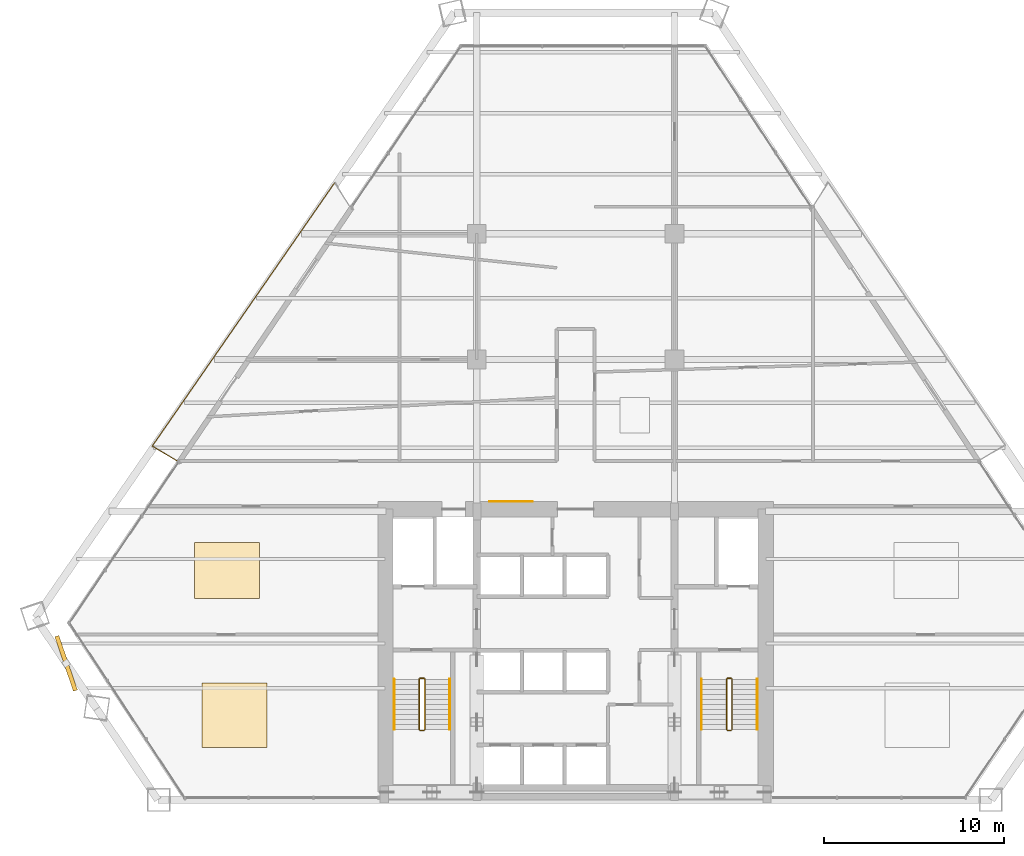
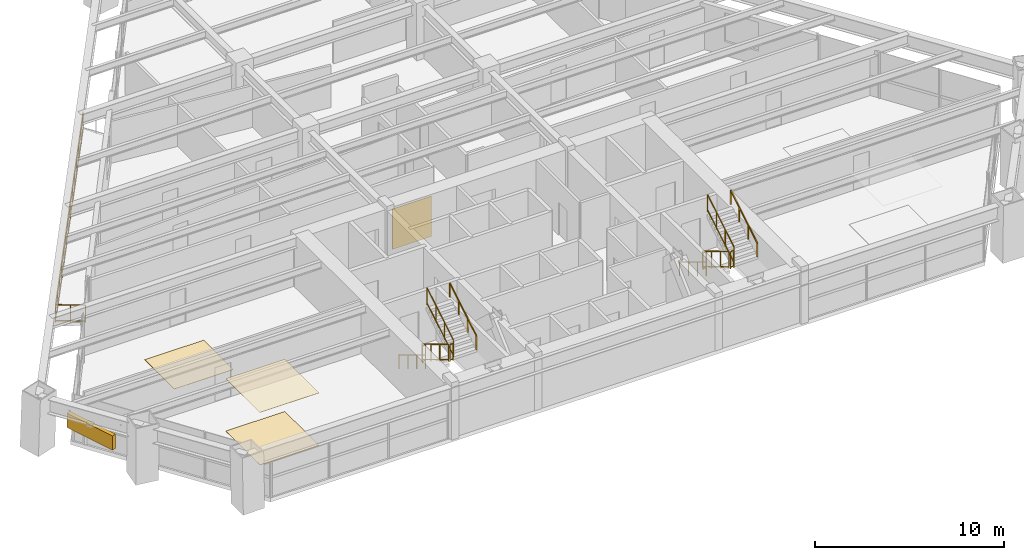
# One storey, part 13 of 14: 14 railings, 4 coverings, 1 shading device.
"""IFC4 building model written with IfcOpenShell, lengths in metres."""

from ifc_helpers import new_model, si_unit, direction, frame, origin, origin_2d, place, context, subcontext, project, spatial, rectangle, extrude, source, transform, mapped, material, layer, layer_set, type_object, type_shapes, element, save


model = new_model("IFC4")

# Units and contexts
model_context = context("Model", 3, precision=1e-05, world=origin(), true_north=direction((0.0, 1.0)))
body_context = subcontext(model_context, "Body", "Model", "MODEL_VIEW")
ifc_project = project(units=[si_unit("LENGTHUNIT", "METRE"), si_unit("AREAUNIT", "SQUARE_METRE"), si_unit("VOLUMEUNIT", "CUBIC_METRE"), si_unit("PLANEANGLEUNIT", "RADIAN"), si_unit("MASSUNIT", "GRAM", prefix="KILO")], contexts=[model_context])

# Site, building, storey
site_placement = place(None, origin())
site = spatial("IfcSite", under=ifc_project, at=site_placement, CompositionType="ELEMENT")
building_placement = place(site_placement, origin())
building = spatial("IfcBuilding", under=site, at=building_placement, Name="Varnakhor Terracotta Tower", CompositionType="ELEMENT")
storey_placement = place(building_placement, frame((0.0, 0.0, 68.199951171875)))
storey = spatial("IfcBuildingStorey", under=building, at=storey_placement, Name="L16", CompositionType="ELEMENT", Elevation=68.199951171875)

# Railings
ifc_material_1 = material(Name="Stainless Steel & Laminated Glass Guardrail", Category="steel")
railing_type_1 = type_object("IfcRailingType", Name="RLG-LOGGIA-GUARD-1150", PredefinedType="GUARDRAIL", material=ifc_material_1)
railing_1_placement = place(storey_placement, frame((-22.185546875, 18.864990234375, 0.0)))
element("IfcRailing", 1, at=railing_1_placement, inside=storey, type_object=railing_type_1, Name="L16 W Loggia Glass Guard 1", PredefinedType="GUARDRAIL", context=body_context, shape_type="SweptSolid", body=[
    extrude(rectangle(XDim=0.048095703125, YDim=0.048095703125, at=origin_2d()), frame((0.0, 0.0, 1.1259765625), z_axis=(-0.857357928805, 0.514720683395, 0.0), x_axis=(-0.514720683395, -0.857357928805, 0.0)), (0.0, 0.0, 1.0), 1.59619140625),
    extrude(rectangle(XDim=0.048095703125, YDim=0.048095703125, at=origin_2d()), frame((0.0, 0.0, 0.10009765625), z_axis=(-0.857357928805, 0.514720683395, 0.0), x_axis=(-0.514720683395, -0.857357928805, 0.0)), (0.0, 0.0, 1.0), 1.59619140625),
    extrude(rectangle(XDim=0.0419921875, YDim=0.0419921875, at=origin_2d()), origin(), (0.0, 0.0, 1.0), 1.101806640625),
    extrude(rectangle(XDim=0.0419921875, YDim=0.0419921875, at=origin_2d()), frame((-0.68408203125, 0.41064453125, 0.0)), (0.0, 0.0, 1.0), 1.101806640625),
    extrude(rectangle(XDim=0.0419921875, YDim=0.0419921875, at=origin_2d()), frame((-1.368408203125, 0.821533203125, 0.0)), (0.0, 0.0, 1.0), 1.101806640625),
])
railing_2_placement = place(storey_placement, frame((-23.553955078125, 19.6865234375, 0.0)))
element("IfcRailing", 2, at=railing_2_placement, inside=storey, type_object=railing_type_1, Name="L16 W Loggia Glass Guard 2", PredefinedType="GUARDRAIL", context=body_context, shape_type="SweptSolid", body=[
    extrude(rectangle(XDim=0.048095703125, YDim=0.048095703125, at=origin_2d()), frame((0.0, 0.0, 1.1259765625), z_axis=(0.569354579322, 0.822092064799, 0.0), x_axis=(-0.822092064799, 0.569354579322, 0.0)), (0.0, 0.0, 1.0), 17.821533203125),
    extrude(rectangle(XDim=0.048095703125, YDim=0.048095703125, at=origin_2d()), frame((0.0, 0.0, 0.10009765625), z_axis=(0.569354579322, 0.822092064799, 0.0), x_axis=(-0.822092064799, 0.569354579322, 0.0)), (0.0, 0.0, 1.0), 17.821533203125),
    extrude(rectangle(XDim=0.0419921875, YDim=0.0419921875, at=origin_2d()), origin(), (0.0, 0.0, 1.0), 1.101806640625),
    extrude(rectangle(XDim=0.0419921875, YDim=0.0419921875, at=origin_2d()), frame((0.780517578125, 1.126953125, 0.0)), (0.0, 0.0, 1.0), 1.101806640625),
    extrude(rectangle(XDim=0.0419921875, YDim=0.0419921875, at=origin_2d()), frame((1.56103515625, 2.25390625, 0.0)), (0.0, 0.0, 1.0), 1.101806640625),
    extrude(rectangle(XDim=0.0419921875, YDim=0.0419921875, at=origin_2d()), frame((2.341552734375, 3.380859375, 0.0)), (0.0, 0.0, 1.0), 1.101806640625),
    extrude(rectangle(XDim=0.0419921875, YDim=0.0419921875, at=origin_2d()), frame((3.1220703125, 4.508056640625, 0.0)), (0.0, 0.0, 1.0), 1.101806640625),
    extrude(rectangle(XDim=0.0419921875, YDim=0.0419921875, at=origin_2d()), frame((3.902587890625, 5.635009765625, 0.0)), (0.0, 0.0, 1.0), 1.101806640625),
    extrude(rectangle(XDim=0.0419921875, YDim=0.0419921875, at=origin_2d()), frame((4.68310546875, 6.761962890625, 0.0)), (0.0, 0.0, 1.0), 1.101806640625),
    extrude(rectangle(XDim=0.0419921875, YDim=0.0419921875, at=origin_2d()), frame((5.463623046875, 7.888916015625, 0.0)), (0.0, 0.0, 1.0), 1.101806640625),
    extrude(rectangle(XDim=0.0419921875, YDim=0.0419921875, at=origin_2d()), frame((6.244140625, 9.015869140625, 0.0)), (0.0, 0.0, 1.0), 1.101806640625),
    extrude(rectangle(XDim=0.0419921875, YDim=0.0419921875, at=origin_2d()), frame((7.024658203125, 10.142822265625, 0.0)), (0.0, 0.0, 1.0), 1.101806640625),
    extrude(rectangle(XDim=0.0419921875, YDim=0.0419921875, at=origin_2d()), frame((7.80517578125, 11.27001953125, 0.0)), (0.0, 0.0, 1.0), 1.101806640625),
    extrude(rectangle(XDim=0.0419921875, YDim=0.0419921875, at=origin_2d()), frame((8.585693359375, 12.39697265625, 0.0)), (0.0, 0.0, 1.0), 1.101806640625),
    extrude(rectangle(XDim=0.0419921875, YDim=0.0419921875, at=origin_2d()), frame((9.3662109375, 13.52392578125, 0.0)), (0.0, 0.0, 1.0), 1.101806640625),
    extrude(rectangle(XDim=0.0419921875, YDim=0.0419921875, at=origin_2d()), frame((10.146728515625, 14.65087890625, 0.0)), (0.0, 0.0, 1.0), 1.101806640625),
])
ifc_material_2 = material(Name="Painted Steel Stairwell Guardrail", Category="steel")
railing_type_2 = type_object("IfcRailingType", Name="RLG-STAIR-GUARD-1120", PredefinedType="GUARDRAIL", material=ifc_material_2)
railing_3_placement = place(storey_placement, frame((-8.699951171875, 6.7099609375, 0.168212890625)))
element("IfcRailing", 3, at=railing_3_placement, inside=storey, type_object=railing_type_2, Name="L16 ST-1 stair guard 1", PredefinedType="GUARDRAIL", context=body_context, shape_type="SweptSolid", body=[
    extrude(rectangle(XDim=0.048095703125, YDim=0.048095703125, at=origin_2d()), frame((0.0, 0.0, 1.09619140625), z_axis=(0.0, -0.857242210791, 0.514913383045), x_axis=(1.0, 0.0, 0.0)), (0.0, 0.0, 1.0), 3.266357421875),
    extrude(rectangle(XDim=0.048095703125, YDim=0.048095703125, at=origin_2d()), frame((0.0, 0.0, 0.10009765625), z_axis=(0.0, -0.857242210791, 0.514913383045), x_axis=(1.0, 0.0, 0.0)), (0.0, 0.0, 1.0), 3.266357421875),
    extrude(rectangle(XDim=0.0419921875, YDim=0.0419921875, at=origin_2d()), origin(), (0.0, 0.0, 1.0), 1.072021484375),
    extrude(rectangle(XDim=0.0419921875, YDim=0.0419921875, at=origin_2d()), frame((0.0, -0.933349609375, 0.560546875)), (0.0, 0.0, 1.0), 1.072021484375),
    extrude(rectangle(XDim=0.0419921875, YDim=0.0419921875, at=origin_2d()), frame((0.0, -1.86669921875, 1.121337890625)), (0.0, 0.0, 1.0), 1.072021484375),
    extrude(rectangle(XDim=0.0419921875, YDim=0.0419921875, at=origin_2d()), frame((0.0, -2.800048828125, 1.681884765625)), (0.0, 0.0, 1.0), 1.072021484375),
])
railing_4_placement = place(storey_placement, frame((-8.64990234375, 3.860107421875, 1.85009765625)))
element("IfcRailing", 4, at=railing_4_placement, inside=storey, type_object=railing_type_2, Name="L16 ST-1 stair guard 2", PredefinedType="GUARDRAIL", context=body_context, shape_type="SweptSolid", body=[
    extrude(rectangle(XDim=0.048095703125, YDim=0.048095703125, at=origin_2d()), frame((0.0, 0.0, 1.09619140625), z_axis=(1.0, 0.0, 0.0), x_axis=(0.0, 1.0, 0.0)), (0.0, 0.0, 1.0), 0.199951171875),
    extrude(rectangle(XDim=0.048095703125, YDim=0.048095703125, at=origin_2d()), frame((0.0, 0.0, 0.10009765625), z_axis=(1.0, 0.0, 0.0), x_axis=(0.0, 1.0, 0.0)), (0.0, 0.0, 1.0), 0.199951171875),
    extrude(rectangle(XDim=0.0419921875, YDim=0.0419921875, at=origin_2d()), origin(), (0.0, 0.0, 1.0), 1.072021484375),
    extrude(rectangle(XDim=0.0419921875, YDim=0.0419921875, at=origin_2d()), frame((0.199951171875, 0.0, 0.0)), (0.0, 0.0, 1.0), 1.072021484375),
])
railing_5_placement = place(storey_placement, frame((-8.39990234375, 3.909912109375, 2.018310546875)))
element("IfcRailing", 5, at=railing_5_placement, inside=storey, type_object=railing_type_2, Name="L16 ST-1 stair guard 3", PredefinedType="GUARDRAIL", context=body_context, shape_type="SweptSolid", body=[
    extrude(rectangle(XDim=0.048095703125, YDim=0.048095703125, at=origin_2d()), frame((0.0, 0.0, 1.09619140625), z_axis=(0.0, 0.857275202839, 0.514858452973), x_axis=(-1.0, 0.0, 0.0)), (0.0, 0.0, 1.0), 3.26611328125),
    extrude(rectangle(XDim=0.048095703125, YDim=0.048095703125, at=origin_2d()), frame((0.0, 0.0, 0.10009765625), z_axis=(0.0, 0.857275202839, 0.514858452973), x_axis=(-1.0, 0.0, 0.0)), (0.0, 0.0, 1.0), 3.26611328125),
    extrude(rectangle(XDim=0.0419921875, YDim=0.0419921875, at=origin_2d()), origin(), (0.0, 0.0, 1.0), 1.072021484375),
    extrude(rectangle(XDim=0.0419921875, YDim=0.0419921875, at=origin_2d()), frame((0.0, 0.933349609375, 0.560546875)), (0.0, 0.0, 1.0), 1.072021484375),
    extrude(rectangle(XDim=0.0419921875, YDim=0.0419921875, at=origin_2d()), frame((0.0, 1.86669921875, 1.12109375)), (0.0, 0.0, 1.0), 1.072021484375),
    extrude(rectangle(XDim=0.0419921875, YDim=0.0419921875, at=origin_2d()), frame((0.0, 2.800048828125, 1.681640625)), (0.0, 0.0, 1.0), 1.072021484375),
])
railing_6_placement = place(storey_placement, frame((-8.64990234375, 6.760009765625, 0.0)))
element("IfcRailing", 6, at=railing_6_placement, inside=storey, type_object=railing_type_2, Name="L16 ST-1 stair guard 4", PredefinedType="GUARDRAIL", context=body_context, shape_type="SweptSolid", body=[
    extrude(rectangle(XDim=0.048095703125, YDim=0.048095703125, at=origin_2d()), frame((0.0, 0.0, 1.09619140625), z_axis=(1.0, 0.0, 0.0), x_axis=(0.0, 1.0, 0.0)), (0.0, 0.0, 1.0), 0.199951171875),
    extrude(rectangle(XDim=0.048095703125, YDim=0.048095703125, at=origin_2d()), frame((0.0, 0.0, 0.10009765625), z_axis=(1.0, 0.0, 0.0), x_axis=(0.0, 1.0, 0.0)), (0.0, 0.0, 1.0), 0.199951171875),
    extrude(rectangle(XDim=0.0419921875, YDim=0.0419921875, at=origin_2d()), origin(), (0.0, 0.0, 1.0), 1.072021484375),
    extrude(rectangle(XDim=0.0419921875, YDim=0.0419921875, at=origin_2d()), frame((0.199951171875, 0.0, 0.0)), (0.0, 0.0, 1.0), 1.072021484375),
])
railing_7_placement = place(storey_placement, frame((8.39990234375, 6.7099609375, 0.168212890625)))
element("IfcRailing", 7, at=railing_7_placement, inside=storey, type_object=railing_type_2, Name="L16 ST-2 stair guard 1", PredefinedType="GUARDRAIL", context=body_context, shape_type="SweptSolid", body=[
    extrude(rectangle(XDim=0.048095703125, YDim=0.048095703125, at=origin_2d()), frame((0.0, 0.0, 1.09619140625), z_axis=(0.0, -0.857242210791, 0.514913383045), x_axis=(1.0, 0.0, 0.0)), (0.0, 0.0, 1.0), 3.266357421875),
    extrude(rectangle(XDim=0.048095703125, YDim=0.048095703125, at=origin_2d()), frame((0.0, 0.0, 0.10009765625), z_axis=(0.0, -0.857242210791, 0.514913383045), x_axis=(1.0, 0.0, 0.0)), (0.0, 0.0, 1.0), 3.266357421875),
    extrude(rectangle(XDim=0.0419921875, YDim=0.0419921875, at=origin_2d()), origin(), (0.0, 0.0, 1.0), 1.072021484375),
    extrude(rectangle(XDim=0.0419921875, YDim=0.0419921875, at=origin_2d()), frame((0.0, -0.933349609375, 0.560546875)), (0.0, 0.0, 1.0), 1.072021484375),
    extrude(rectangle(XDim=0.0419921875, YDim=0.0419921875, at=origin_2d()), frame((0.0, -1.86669921875, 1.121337890625)), (0.0, 0.0, 1.0), 1.072021484375),
    extrude(rectangle(XDim=0.0419921875, YDim=0.0419921875, at=origin_2d()), frame((0.0, -2.800048828125, 1.681884765625)), (0.0, 0.0, 1.0), 1.072021484375),
])
railing_8_placement = place(storey_placement, frame((8.449951171875, 3.860107421875, 1.85009765625)))
element("IfcRailing", 8, at=railing_8_placement, inside=storey, type_object=railing_type_2, Name="L16 ST-2 stair guard 2", PredefinedType="GUARDRAIL", context=body_context, shape_type="SweptSolid", body=[
    extrude(rectangle(XDim=0.048095703125, YDim=0.048095703125, at=origin_2d()), frame((0.0, 0.0, 1.09619140625), z_axis=(1.0, 0.0, 0.0), x_axis=(0.0, 1.0, 0.0)), (0.0, 0.0, 1.0), 0.199951171875),
    extrude(rectangle(XDim=0.048095703125, YDim=0.048095703125, at=origin_2d()), frame((0.0, 0.0, 0.10009765625), z_axis=(1.0, 0.0, 0.0), x_axis=(0.0, 1.0, 0.0)), (0.0, 0.0, 1.0), 0.199951171875),
    extrude(rectangle(XDim=0.0419921875, YDim=0.0419921875, at=origin_2d()), origin(), (0.0, 0.0, 1.0), 1.072021484375),
    extrude(rectangle(XDim=0.0419921875, YDim=0.0419921875, at=origin_2d()), frame((0.199951171875, 0.0, 0.0)), (0.0, 0.0, 1.0), 1.072021484375),
])
railing_9_placement = place(storey_placement, frame((8.699951171875, 3.909912109375, 2.018310546875)))
element("IfcRailing", 9, at=railing_9_placement, inside=storey, type_object=railing_type_2, Name="L16 ST-2 stair guard 3", PredefinedType="GUARDRAIL", context=body_context, shape_type="SweptSolid", body=[
    extrude(rectangle(XDim=0.048095703125, YDim=0.048095703125, at=origin_2d()), frame((0.0, 0.0, 1.09619140625), z_axis=(0.0, 0.857275202839, 0.514858452973), x_axis=(-1.0, 0.0, 0.0)), (0.0, 0.0, 1.0), 3.26611328125),
    extrude(rectangle(XDim=0.048095703125, YDim=0.048095703125, at=origin_2d()), frame((0.0, 0.0, 0.10009765625), z_axis=(0.0, 0.857275202839, 0.514858452973), x_axis=(-1.0, 0.0, 0.0)), (0.0, 0.0, 1.0), 3.26611328125),
    extrude(rectangle(XDim=0.0419921875, YDim=0.0419921875, at=origin_2d()), origin(), (0.0, 0.0, 1.0), 1.072021484375),
    extrude(rectangle(XDim=0.0419921875, YDim=0.0419921875, at=origin_2d()), frame((0.0, 0.933349609375, 0.560546875)), (0.0, 0.0, 1.0), 1.072021484375),
    extrude(rectangle(XDim=0.0419921875, YDim=0.0419921875, at=origin_2d()), frame((0.0, 1.86669921875, 1.12109375)), (0.0, 0.0, 1.0), 1.072021484375),
    extrude(rectangle(XDim=0.0419921875, YDim=0.0419921875, at=origin_2d()), frame((0.0, 2.800048828125, 1.681640625)), (0.0, 0.0, 1.0), 1.072021484375),
])
railing_10_placement = place(storey_placement, frame((8.449951171875, 6.760009765625, 0.0)))
element("IfcRailing", 10, at=railing_10_placement, inside=storey, type_object=railing_type_2, Name="L16 ST-2 stair guard 4", PredefinedType="GUARDRAIL", context=body_context, shape_type="SweptSolid", body=[
    extrude(rectangle(XDim=0.048095703125, YDim=0.048095703125, at=origin_2d()), frame((0.0, 0.0, 1.09619140625), z_axis=(1.0, 0.0, 0.0), x_axis=(0.0, 1.0, 0.0)), (0.0, 0.0, 1.0), 0.199951171875),
    extrude(rectangle(XDim=0.048095703125, YDim=0.048095703125, at=origin_2d()), frame((0.0, 0.0, 0.10009765625), z_axis=(1.0, 0.0, 0.0), x_axis=(0.0, 1.0, 0.0)), (0.0, 0.0, 1.0), 0.199951171875),
    extrude(rectangle(XDim=0.0419921875, YDim=0.0419921875, at=origin_2d()), origin(), (0.0, 0.0, 1.0), 1.072021484375),
    extrude(rectangle(XDim=0.0419921875, YDim=0.0419921875, at=origin_2d()), frame((0.199951171875, 0.0, 0.0)), (0.0, 0.0, 1.0), 1.072021484375),
])
ifc_material_3 = material(Name="Brushed Stainless Steel Handrail", Category="steel")
railing_type_3 = type_object("IfcRailingType", Name="RLG-STAIR-HANDRAIL-920", PredefinedType="HANDRAIL", material=ifc_material_3)
railing_11_placement = place(storey_placement, frame((-10.10009765625, 6.7099609375, 0.168212890625)))
element("IfcRailing", 11, at=railing_11_placement, inside=storey, type_object=railing_type_3, Name="L16 ST-1 stair handrail 1", PredefinedType="HANDRAIL", context=body_context, shape_type="SweptSolid", body=[
    extrude(rectangle(XDim=0.048095703125, YDim=0.048095703125, at=origin_2d()), frame((0.0, 0.0, 0.89599609375), z_axis=(0.0, -0.857242210791, 0.514913383045), x_axis=(1.0, 0.0, 0.0)), (0.0, 0.0, 1.0), 3.266357421875),
    extrude(rectangle(XDim=0.0419921875, YDim=0.0419921875, at=origin_2d()), origin(), (0.0, 0.0, 1.0), 0.871826171875),
    extrude(rectangle(XDim=0.0419921875, YDim=0.0419921875, at=origin_2d()), frame((0.0, -0.933349609375, 0.560546875)), (0.0, 0.0, 1.0), 0.871826171875),
    extrude(rectangle(XDim=0.0419921875, YDim=0.0419921875, at=origin_2d()), frame((0.0, -1.86669921875, 1.121337890625)), (0.0, 0.0, 1.0), 0.871826171875),
    extrude(rectangle(XDim=0.0419921875, YDim=0.0419921875, at=origin_2d()), frame((0.0, -2.800048828125, 1.681884765625)), (0.0, 0.0, 1.0), 0.871826171875),
])
railing_12_placement = place(storey_placement, frame((-7.0, 3.909912109375, 2.018310546875)))
element("IfcRailing", 12, at=railing_12_placement, inside=storey, type_object=railing_type_3, Name="L16 ST-1 stair handrail 2", PredefinedType="HANDRAIL", context=body_context, shape_type="SweptSolid", body=[
    extrude(rectangle(XDim=0.048095703125, YDim=0.048095703125, at=origin_2d()), frame((0.0, 0.0, 0.89599609375), z_axis=(0.0, 0.857275202839, 0.514858452973), x_axis=(-1.0, 0.0, 0.0)), (0.0, 0.0, 1.0), 3.26611328125),
    extrude(rectangle(XDim=0.0419921875, YDim=0.0419921875, at=origin_2d()), origin(), (0.0, 0.0, 1.0), 0.871826171875),
    extrude(rectangle(XDim=0.0419921875, YDim=0.0419921875, at=origin_2d()), frame((0.0, 0.933349609375, 0.560546875)), (0.0, 0.0, 1.0), 0.871826171875),
    extrude(rectangle(XDim=0.0419921875, YDim=0.0419921875, at=origin_2d()), frame((0.0, 1.86669921875, 1.12109375)), (0.0, 0.0, 1.0), 0.871826171875),
    extrude(rectangle(XDim=0.0419921875, YDim=0.0419921875, at=origin_2d()), frame((0.0, 2.800048828125, 1.681640625)), (0.0, 0.0, 1.0), 0.871826171875),
])
railing_13_placement = place(storey_placement, frame((7.0, 6.7099609375, 0.168212890625)))
element("IfcRailing", 13, at=railing_13_placement, inside=storey, type_object=railing_type_3, Name="L16 ST-2 stair handrail 1", PredefinedType="HANDRAIL", context=body_context, shape_type="SweptSolid", body=[
    extrude(rectangle(XDim=0.048095703125, YDim=0.048095703125, at=origin_2d()), frame((0.0, 0.0, 0.89599609375), z_axis=(0.0, -0.857242210791, 0.514913383045), x_axis=(1.0, 0.0, 0.0)), (0.0, 0.0, 1.0), 3.266357421875),
    extrude(rectangle(XDim=0.0419921875, YDim=0.0419921875, at=origin_2d()), origin(), (0.0, 0.0, 1.0), 0.871826171875),
    extrude(rectangle(XDim=0.0419921875, YDim=0.0419921875, at=origin_2d()), frame((0.0, -0.933349609375, 0.560546875)), (0.0, 0.0, 1.0), 0.871826171875),
    extrude(rectangle(XDim=0.0419921875, YDim=0.0419921875, at=origin_2d()), frame((0.0, -1.86669921875, 1.121337890625)), (0.0, 0.0, 1.0), 0.871826171875),
    extrude(rectangle(XDim=0.0419921875, YDim=0.0419921875, at=origin_2d()), frame((0.0, -2.800048828125, 1.681884765625)), (0.0, 0.0, 1.0), 0.871826171875),
])
railing_14_placement = place(storey_placement, frame((10.10009765625, 3.909912109375, 2.018310546875)))
element("IfcRailing", 14, at=railing_14_placement, inside=storey, type_object=railing_type_3, Name="L16 ST-2 stair handrail 2", PredefinedType="HANDRAIL", context=body_context, shape_type="SweptSolid", body=[
    extrude(rectangle(XDim=0.048095703125, YDim=0.048095703125, at=origin_2d()), frame((0.0, 0.0, 0.89599609375), z_axis=(0.0, 0.857275202839, 0.514858452973), x_axis=(-1.0, 0.0, 0.0)), (0.0, 0.0, 1.0), 3.26611328125),
    extrude(rectangle(XDim=0.0419921875, YDim=0.0419921875, at=origin_2d()), origin(), (0.0, 0.0, 1.0), 0.871826171875),
    extrude(rectangle(XDim=0.0419921875, YDim=0.0419921875, at=origin_2d()), frame((0.0, 0.933349609375, 0.560546875)), (0.0, 0.0, 1.0), 0.871826171875),
    extrude(rectangle(XDim=0.0419921875, YDim=0.0419921875, at=origin_2d()), frame((0.0, 1.86669921875, 1.12109375)), (0.0, 0.0, 1.0), 0.871826171875),
    extrude(rectangle(XDim=0.0419921875, YDim=0.0419921875, at=origin_2d()), frame((0.0, 2.800048828125, 1.681640625)), (0.0, 0.0, 1.0), 0.871826171875),
])

# Shading device
ifc_material_4 = material(Name="Extruded Architectural Terracotta Screen", Category="masonry")
shading_device_type = type_object("IfcShadingDeviceType", Name="TERRACOTTA SOLAR SCREEN W", PredefinedType="USERDEFINED", material=ifc_material_4)
shared_shape_1 = source(origin(), body_context, "Body", "SweptSolid", [
    extrude(rectangle(XDim=3.199951171875, YDim=0.239990234375, at=origin_2d()), origin(), (0.0, 0.0, 1.0), 0.919921875),
])
type_shapes(shading_device_type, [shared_shape_1])
shading_device_placement = place(storey_placement, frame((-28.349609375, 7.595458984375, 1.568115234375), z_axis=(0.0, 0.0, 1.0), x_axis=(0.323669722533, -0.946170127787, 0.0)))
element("IfcShadingDevice", 15, at=shading_device_placement, inside=storey, type_object=shading_device_type, Name="L16 W Terracotta Solar Screen", ObjectType="SCREEN", PredefinedType="USERDEFINED", context=body_context, shape_type="MappedRepresentation", body=[
    mapped(shared_shape_1, transform((0.0, 0.0, 0.0), scale=1.0)),
])

# Coverings
ifc_material_5 = material(Name="Extruded Architectural Terracotta Cladding", Category="masonry")
ifc_layer_1 = layer(ifc_material_5, 0.044921875, Name="Extruded Architectural Terracotta Cladding")
ifc_layer_set_1 = layer_set([ifc_layer_1], Name="Extruded Architectural Terracotta Cladding")
covering_type_1 = type_object("IfcCoveringType", Name="COV-CLAD-TERRACOTTA", PredefinedType="CLADDING", material=ifc_layer_set_1)
shared_shape_2 = source(origin(), body_context, "Body", "SweptSolid", [
    extrude(rectangle(XDim=2.39990234375, YDim=0.030029296875, at=origin_2d()), origin(), (0.0, 0.0, 1.0), 2.60009765625),
])
type_shapes(covering_type_1, [shared_shape_2])
covering_1_placement = place(storey_placement, frame((-3.60009765625, 16.612060546875, 0.0), z_axis=(0.0, 0.0, 1.0), x_axis=(1.0, 0.0, 0.0)))
element("IfcCovering", 16, at=covering_1_placement, inside=storey, type_object=covering_type_1, Name="L16 Core Lobby Limestone Cladding", PredefinedType="CLADDING", context=body_context, shape_type="MappedRepresentation", body=[
    mapped(shared_shape_2, transform((0.0, 0.0, 0.0), scale=1.0)),
])
ifc_material_6 = material(Name="Honed Riyadh Limestone Flooring", Category="masonry")
ifc_layer_2 = layer(ifc_material_6, 0.030029296875, Name="Honed Riyadh Limestone Flooring")
ifc_layer_set_2 = layer_set([ifc_layer_2], Name="Honed Riyadh Limestone Flooring")
covering_type_2 = type_object("IfcCoveringType", Name="COV-FLOOR-LIMESTONE", PredefinedType="FLOORING", material=ifc_layer_set_2)
shared_shape_3 = source(origin(), body_context, "Body", "SweptSolid", [
    extrude(rectangle(XDim=3.60009765625, YDim=3.60009765625, at=origin_2d()), origin(), (0.0, 0.0, 1.0), 0.02001953125),
])
covering_2_placement = place(storey_placement, frame((-18.97802734375, 4.701904296875, 0.0), z_axis=(0.0, 0.0, 1.0), x_axis=(1.0, 0.0, 0.0)))
element("IfcCovering", 17, at=covering_2_placement, inside=storey, type_object=covering_type_2, Name="L16 Honed Stone Flooring 1", PredefinedType="FLOORING", context=body_context, shape_type="MappedRepresentation", body=[
    mapped(shared_shape_3, transform((0.0, 0.0, 0.0), scale=1.0)),
])
ifc_material_7 = material(Name="Perforated Acoustic Mineral-Fibre Ceiling", Category="gypsum")
ifc_layer_3 = layer(ifc_material_7, 0.02490234375, Name="Perforated Acoustic Mineral-Fibre Ceiling")
ifc_layer_set_3 = layer_set([ifc_layer_3], Name="Perforated Acoustic Mineral-Fibre Ceiling")
covering_type_3 = type_object("IfcCoveringType", Name="COV-CEILING-ACOUSTIC", PredefinedType="CEILING", material=ifc_layer_set_3)
shared_shape_4 = source(origin(), body_context, "Body", "SweptSolid", [
    extrude(rectangle(XDim=3.60009765625, YDim=3.60009765625, at=origin_2d()), origin(), (0.0, 0.0, 1.0), 0.02392578125),
])
covering_3_placement = place(storey_placement, frame((-18.97802734375, 4.701904296875, 3.3759765625), z_axis=(0.0, 0.0, 1.0), x_axis=(1.0, 0.0, 0.0)))
element("IfcCovering", 18, at=covering_3_placement, inside=storey, type_object=covering_type_3, Name="L16 Acoustic Ceiling Panel 1", PredefinedType="CEILING", context=body_context, shape_type="MappedRepresentation", body=[
    mapped(shared_shape_4, transform((0.0, 0.0, 0.0), scale=1.0)),
])
shared_shape_5 = source(origin(), body_context, "Body", "SweptSolid", [
    extrude(rectangle(XDim=3.60009765625, YDim=3.1220703125, at=origin_2d()), origin(), (0.0, 0.0, 1.0), 0.02001953125),
])
covering_4_placement = place(storey_placement, frame((-19.40087890625, 12.763916015625, 0.0), z_axis=(0.0, 0.0, 1.0), x_axis=(1.0, 0.0, 0.0)))
element("IfcCovering", 19, at=covering_4_placement, inside=storey, type_object=covering_type_2, Name="L16 Honed Stone Flooring 3", PredefinedType="FLOORING", context=body_context, shape_type="MappedRepresentation", body=[
    mapped(shared_shape_5, transform((0.0, 0.0, 0.0), scale=1.0)),
])

save(model, "model.ifc")
